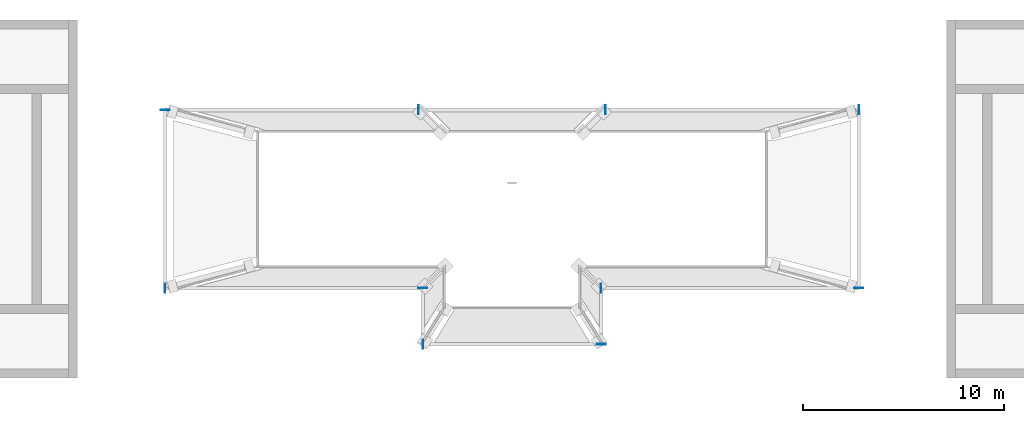
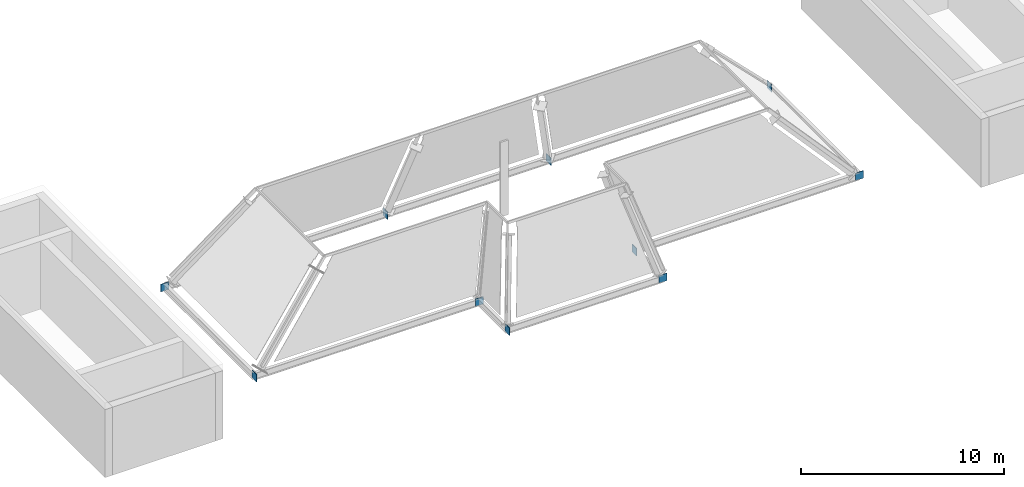
# One storey, part 3 of 4: 10 discrete accessories.
"""IFC4 building model written with IfcOpenShell, lengths in metres."""

from ifc_helpers import new_model, si_unit, direction, frame, origin, origin_2d, place, context, subcontext, project, spatial, rectangle, extrude, material, material_profile, profile_set, type_object, element, save


model = new_model("IFC4")

# Units and contexts
model_context = context("Model", 3, precision=1e-05, world=origin(), true_north=direction((0.0, 1.0)))
body_context = subcontext(model_context, "Body", "Model", "MODEL_VIEW")
ifc_project = project(units=[si_unit("LENGTHUNIT", "METRE"), si_unit("AREAUNIT", "SQUARE_METRE"), si_unit("VOLUMEUNIT", "CUBIC_METRE"), si_unit("PLANEANGLEUNIT", "RADIAN"), si_unit("MASSUNIT", "GRAM", prefix="KILO")], contexts=[model_context])

# Site, building, storey
site_placement = place(None, origin())
site = spatial("IfcSite", under=ifc_project, at=site_placement, CompositionType="ELEMENT")
building_placement = place(site_placement, origin())
building = spatial("IfcBuilding", under=site, at=building_placement, Name="Perihelion Cross Residences", CompositionType="ELEMENT")
storey_placement = place(building_placement, frame((0.0, 0.0, 307.800048828125)))
storey = spatial("IfcBuildingStorey", under=building, at=storey_placement, Name="L78", CompositionType="ELEMENT", Elevation=307.800048828125)

# Discrete accessories
ifc_material = material(Name="Structural steel S355 plate", Category="steel")
ifc_material_profile = material_profile(ifc_material, rectangle(XDim=0.449951171875, YDim=0.449951171875, at=origin_2d()), Name="Crown end plate")
ifc_profile_set = profile_set([ifc_material_profile], Name="Structural steel S355 plate")
discrete_accessory_type = type_object("IfcDiscreteAccessoryType", Name="Crown end plate", PredefinedType="BRACKET", material=ifc_profile_set)
discrete_accessory_1_placement = place(storey_placement, frame((17.24462890625, -4.443115234375, -0.45849609375), z_axis=(0.0, 1.0, 0.0), x_axis=(-1.0, 0.0, 0.0)))
element("IfcDiscreteAccessory", 1, at=discrete_accessory_1_placement, inside=storey, type_object=discrete_accessory_type, Name="Crown end plate", PredefinedType="BRACKET", context=body_context, shape_type="SweptSolid", body=[
    extrude(rectangle(XDim=0.449951171875, YDim=0.449951171875, at=origin_2d()), origin(), (0.0, 0.0, 1.0), 0.030029296875),
])
discrete_accessory_2_placement = place(storey_placement, frame((17.259521484375, 4.42822265625, -0.45849609375), z_axis=(-1.0, 0.0, 0.0), x_axis=(0.0, -1.0, 0.0)))
element("IfcDiscreteAccessory", 2, at=discrete_accessory_2_placement, inside=storey, type_object=discrete_accessory_type, Name="Crown end plate", PredefinedType="BRACKET", context=body_context, shape_type="SweptSolid", body=[
    extrude(rectangle(XDim=0.449951171875, YDim=0.449951171875, at=origin_2d()), origin(), (0.0, 0.0, 1.0), 0.02978515625),
])
for number, where, z_axis, x_axis, name in (
    (3, (4.666259765625, 4.42822265625, -0.45849609375), (-1.0, 0.0, 0.0), (0.0, -1.0, 0.0), "Crown end plate"),
    (4, (-4.63623046875, 4.42822265625, -0.45849609375), (-1.0, 0.0, 0.0), (0.0, -1.0, 0.0), "Crown end plate"),
    (5, (-17.24462890625, 4.443115234375, -0.45849609375), (0.0, -1.0, 0.0), (1.0, 0.0, 0.0), "Crown end plate"),
):
    element("IfcDiscreteAccessory", number, at=place(storey_placement, frame(where, z_axis=z_axis, x_axis=x_axis)), inside=storey, type_object=discrete_accessory_type, Name=name, PredefinedType="BRACKET", context=body_context, shape_type="SweptSolid", body=[
        extrude(rectangle(XDim=0.449951171875, YDim=0.449951171875, at=origin_2d()), origin(), (0.0, 0.0, 1.0), 0.030029296875),
    ])
discrete_accessory_3_placement = place(storey_placement, frame((-17.259521484375, -4.42822265625, -0.45849609375), z_axis=(1.0, 0.0, 0.0), x_axis=(0.0, 1.0, 0.0)))
element("IfcDiscreteAccessory", 6, at=discrete_accessory_3_placement, inside=storey, type_object=discrete_accessory_type, Name="Crown end plate", PredefinedType="BRACKET", context=body_context, shape_type="SweptSolid", body=[
    extrude(rectangle(XDim=0.449951171875, YDim=0.449951171875, at=origin_2d()), origin(), (0.0, 0.0, 1.0), 0.02978515625),
])
for number, where, z_axis, x_axis, name in (
    (7, (-4.42822265625, -4.4130859375, -0.45849609375), (0.0, -1.0, 0.0), (1.0, 0.0, 0.0), "Crown end plate"),
    (8, (-4.443115234375, -7.21875, -0.45849609375), (1.0, 0.0, 0.0), (0.0, 1.0, 0.0), "Crown end plate"),
    (9, (4.42822265625, -7.23388671875, -0.45849609375), (0.0, 1.0, 0.0), (-1.0, 0.0, 0.0), "Crown end plate"),
    (10, (4.4130859375, -4.42822265625, -0.45849609375), (1.0, 0.0, 0.0), (0.0, 1.0, 0.0), "Crown end plate"),
):
    element("IfcDiscreteAccessory", number, at=place(storey_placement, frame(where, z_axis=z_axis, x_axis=x_axis)), inside=storey, type_object=discrete_accessory_type, Name=name, PredefinedType="BRACKET", context=body_context, shape_type="SweptSolid", body=[
        extrude(rectangle(XDim=0.449951171875, YDim=0.449951171875, at=origin_2d()), origin(), (0.0, 0.0, 1.0), 0.030029296875),
    ])

save(model, "model.ifc")
